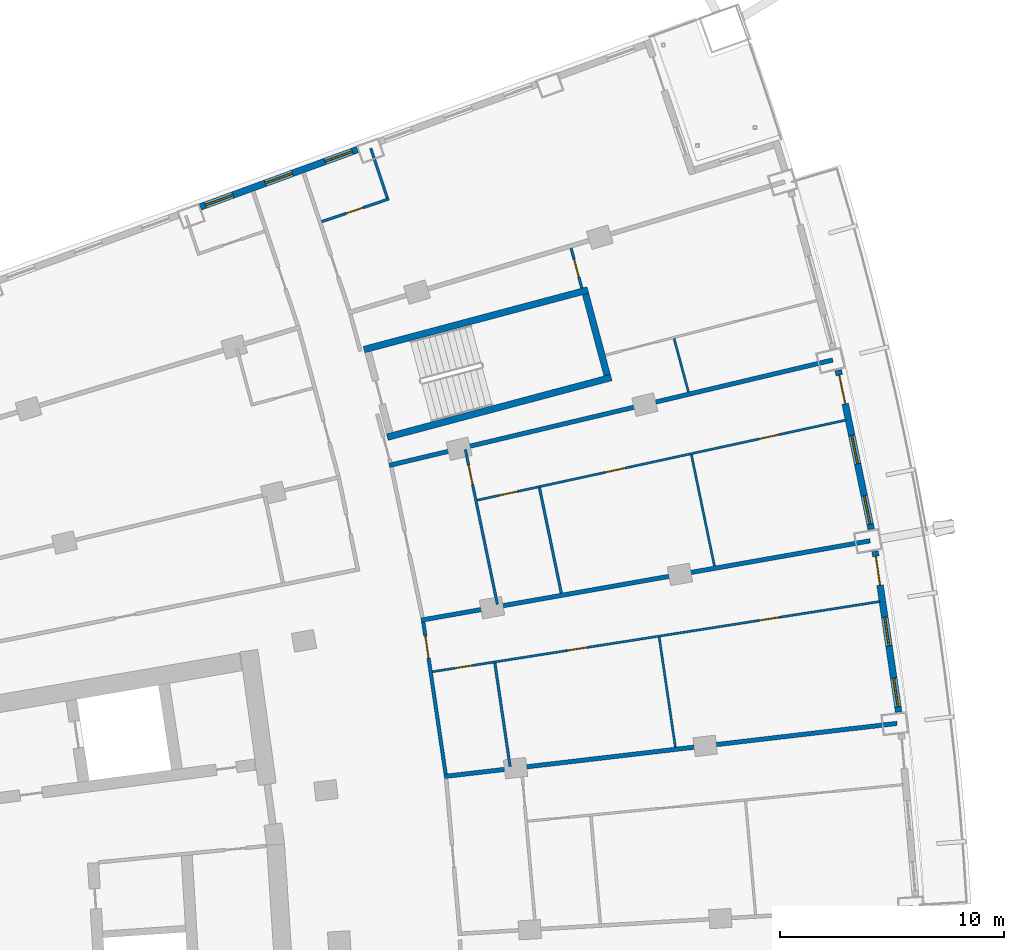
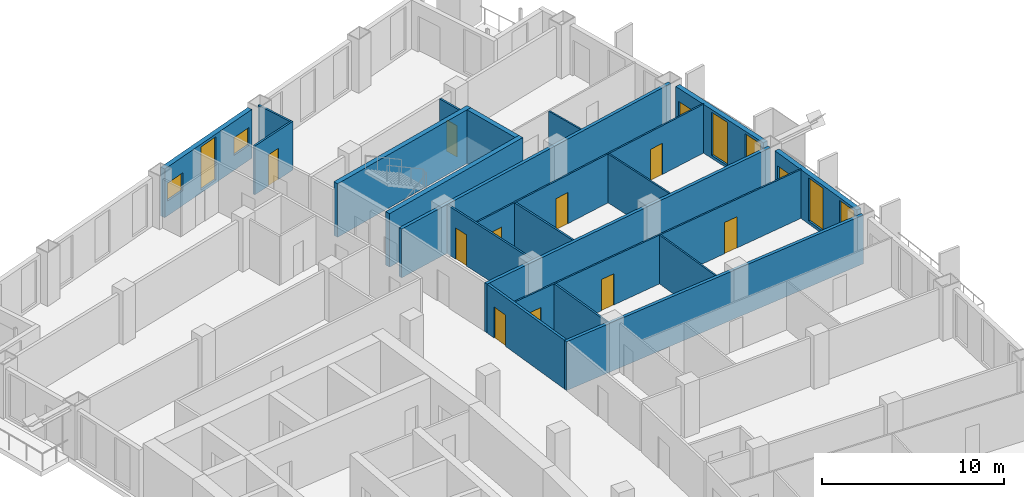
# One storey, part 17 of 23: 21 walls, 12 doors, 7 windows, 19 openings.
"""IFC4 building model written with IfcOpenShell, lengths in metres."""

import ifcopenshell
import ifcopenshell.guid

model = None  # the IFC model being written
_history = None  # IfcOwnerHistory: only IFC2X3 demands one
_inside = {}  # id of a spatial element -> (the spatial element, [elements in it])
_under = {}  # id of a project, library or spatial element -> (it, [spatial elements below it])
_declared = {}  # id of a project -> (the project, [libraries it declares])
_typed = {}  # id of a type object -> (the type object, [elements of that type])
_made_of = {}  # id of a material, layer set ... -> (it, [elements and type objects made of it])


def new_model(schema):
    """Start an empty IFC model of exactly this schema.

    Asked for "IFC4X3", IfcOpenShell would pick the latest addendum, in which some entities
    have other attributes; the version numbers below select the first issue.
    IFC2X3 requires an IfcOwnerHistory on every rooted entity: one is made here for all.
    """
    global model, _history
    if schema == "IFC4X3":
        model = ifcopenshell.file(schema_version=(4, 3, 0, 0))
    else:
        model = ifcopenshell.file(schema=schema)
    _inside.clear()
    _under.clear()
    _declared.clear()
    _typed.clear()
    _made_of.clear()
    _history = None
    if model.schema == "IFC2X3":
        org = make("IfcOrganization", Name="unknown")
        user = make(
            "IfcPersonAndOrganization",
            ThePerson=make("IfcPerson", FamilyName="unknown"),
            TheOrganization=org,
        )
        app = make(
            "IfcApplication",
            ApplicationDeveloper=org,
            Version="unknown",
            ApplicationFullName="unknown",
            ApplicationIdentifier="unknown",
        )
        _history = make(
            "IfcOwnerHistory",
            OwningUser=user,
            OwningApplication=app,
            ChangeAction="ADDED",
            CreationDate=0,
        )
    return model


def make(cls, **values):
    """One entity of the class cls with the attributes given. An attribute that is None is left unset."""
    return model.create_entity(
        cls, **{name: value for name, value in values.items() if value is not None}
    )


def rooted(cls, **values):
    """An entity with a GlobalId (a new one), such as an element, a storey or a relation."""
    return make(cls, GlobalId=ifcopenshell.guid.new(), OwnerHistory=_history, **values)


def si_unit(unit_type, name, prefix=None):
    """IfcSIUnit, for example si_unit("LENGTHUNIT", "METRE", prefix="MILLI")."""
    return make("IfcSIUnit", UnitType=unit_type, Prefix=prefix, Name=name)


def assignment(units):
    """IfcUnitAssignment: the units of a project."""
    return None if units is None else make("IfcUnitAssignment", Units=units)


def point(xyz):
    """IfcCartesianPoint."""
    return None if xyz is None else make("IfcCartesianPoint", Coordinates=xyz)


def direction(xyz):
    """IfcDirection."""
    return None if xyz is None else make("IfcDirection", DirectionRatios=xyz)


def frame(location, z_axis=None, x_axis=None):
    """IfcAxis2Placement3D, a coordinate frame: its origin and axes. An axis left out is left unset."""
    return make(
        "IfcAxis2Placement3D",
        Location=point(location),
        Axis=direction(z_axis),
        RefDirection=direction(x_axis),
    )


def frame_2d(location, x_axis=None):
    """IfcAxis2Placement2D, a coordinate frame in the plane: its origin and x axis."""
    return make(
        "IfcAxis2Placement2D", Location=point(location), RefDirection=direction(x_axis)
    )


def origin():
    """The frame at (0, 0, 0) with its axes left unset."""
    return frame((0.0, 0.0, 0.0))


def place(relative_to, where):
    """IfcLocalPlacement: puts the frame where relative to a parent placement (None: the world)."""
    return make(
        "IfcLocalPlacement", PlacementRelTo=relative_to, RelativePlacement=where
    )


def context(
    kind, dimensions, precision=None, world=None, true_north=None, identifier=None
):
    """IfcGeometricRepresentationContext, for example the 3D "Model" context."""
    return make(
        "IfcGeometricRepresentationContext",
        ContextIdentifier=identifier,
        ContextType=kind,
        CoordinateSpaceDimension=dimensions,
        Precision=precision,
        WorldCoordinateSystem=world,
        TrueNorth=true_north,
    )


def subcontext(parent, identifier, kind, view, scale=None):
    """IfcGeometricRepresentationSubContext, for example "Body" below "Model"."""
    return make(
        "IfcGeometricRepresentationSubContext",
        ContextIdentifier=identifier,
        ContextType=kind,
        ParentContext=parent,
        TargetScale=scale,
        TargetView=view,
    )


def project(units=None, contexts=None):
    """IfcProject with its units and contexts."""
    return rooted(
        "IfcProject",
        Name="project",
        RepresentationContexts=contexts,
        UnitsInContext=assignment(units),
    )


def spatial(cls, under=None, at=None, **own):
    """A site, building, storey or space (cls), placed at a placement, below another one or the project."""
    s = rooted(cls, ObjectPlacement=at, **own)
    if under is not None:
        _under.setdefault(under.id(), (under, []))[1].append(s)
    return s


def profile(cls, at=None, kind="AREA", **sizes):
    """A parametric profile (cls). Its sizes go by their IFC names, for example OverallWidth=200.0."""
    return make(cls, ProfileType=kind, Position=at, **sizes)


def rectangle(**sizes):
    """IfcRectangleProfileDef."""
    return profile("IfcRectangleProfileDef", **sizes)


def extrude(swept, where, along, depth):
    """IfcExtrudedAreaSolid: the profile swept, set in the frame where, extruded along a direction by depth."""
    return make(
        "IfcExtrudedAreaSolid",
        SweptArea=swept,
        Position=where,
        ExtrudedDirection=direction(along),
        Depth=depth,
    )


def shape(context_of_items, identifier, shape_type, items):
    """IfcShapeRepresentation: the items that make up one representation, for example the "Body"."""
    return make(
        "IfcShapeRepresentation",
        ContextOfItems=context_of_items,
        RepresentationIdentifier=identifier,
        RepresentationType=shape_type,
        Items=items,
    )


def material(Name=None, Category=None):
    """IfcMaterial."""
    return make("IfcMaterial", Name=Name, Category=Category)


def layer(
    of_material, thickness, ventilated=None, Name=None, Category=None, Priority=None
):
    """IfcMaterialLayer: one layer of a wall or slab, of a material (None: an air gap)."""
    return make(
        "IfcMaterialLayer",
        Material=of_material,
        LayerThickness=thickness,
        IsVentilated=ventilated,
        Name=Name,
        Category=Category,
        Priority=Priority,
    )


def layer_set(layers, Name=None):
    """IfcMaterialLayerSet."""
    return make("IfcMaterialLayerSet", MaterialLayers=layers, LayerSetName=Name)


def made_of(thing, what):
    """Note that an element or type object is made of a material, layer set ...; save() writes the relation."""
    if what is not None:
        _made_of.setdefault(what.id(), (what, []))[1].append(thing)
    return thing


def type_object(cls, material=None, **own):
    """A type object (cls), such as IfcWallType, which elements share."""
    return made_of(rooted(cls, **own), material)


def element(
    cls,
    number,
    at=None,
    inside=None,
    cuts=None,
    type_object=None,
    material=None,
    context=None,
    identifier="Body",
    shape_type=None,
    held_by="IfcProductDefinitionShape",
    body=None,
    shapes=None,
    **own,
):
    """One element of the class cls, such as IfcWall. Its Tag is "e" and its number.

    at: its placement. inside: the storey or other place that contains it. cuts: it is an
    opening in that element (IfcRelVoidsElement). A single representation is given by context,
    identifier, shape_type and body (its items); several are given by shapes. held_by: the class
    of the entity that holds the representations. save() writes the other relations.
    """
    e = rooted(cls, Tag="e%d" % number, ObjectPlacement=at, **own)
    if body is not None:
        shapes = [shape(context, identifier, shape_type, body)]
    if shapes is not None:
        e.Representation = make(held_by, Representations=shapes)
    if inside is not None:
        _inside.setdefault(inside.id(), (inside, []))[1].append(e)
    if cuts is not None:
        rooted(
            "IfcRelVoidsElement", RelatingBuildingElement=cuts, RelatedOpeningElement=e
        )
    if type_object is not None:
        _typed.setdefault(type_object.id(), (type_object, []))[1].append(e)
    return made_of(e, material)


def fill(opening, filler):
    """IfcRelFillsElement: the door or window that sits in an opening."""
    return rooted(
        "IfcRelFillsElement",
        RelatingOpeningElement=opening,
        RelatedBuildingElement=filler,
    )


def aggregate(whole, parts):
    """IfcRelAggregates: a whole, such as a stair, and the parts it consists of."""
    return rooted("IfcRelAggregates", RelatingObject=whole, RelatedObjects=parts)


def save(model, path):
    """Write the relations noted so far, then the file.

    IfcRelAggregates (storeys below a building ...), IfcRelContainedInSpatialStructure (elements
    in a storey), IfcRelDefinesByType, IfcRelAssociatesMaterial and IfcRelDeclares: one each for
    every whole, place, type object, material and project.
    """
    for whole, parts in _under.values():
        aggregate(whole, parts)
    for where, things in _inside.values():
        rooted(
            "IfcRelContainedInSpatialStructure",
            RelatedElements=things,
            RelatingStructure=where,
        )
    for kind, things in _typed.values():
        rooted("IfcRelDefinesByType", RelatedObjects=things, RelatingType=kind)
    for what, things in _made_of.values():
        rooted("IfcRelAssociatesMaterial", RelatedObjects=things, RelatingMaterial=what)
    for by, libraries in _declared.values():
        rooted("IfcRelDeclares", RelatingContext=by, RelatedDefinitions=libraries)
    model.write(path)


model = new_model("IFC4")

# Units and contexts
model_context = context("Model", 3, precision=1e-05, world=origin(), true_north=direction((0.0, 1.0)))
body_context = subcontext(model_context, "Body", "Model", "MODEL_VIEW")
ifc_project = project(units=[si_unit("LENGTHUNIT", "METRE"), si_unit("AREAUNIT", "SQUARE_METRE"), si_unit("VOLUMEUNIT", "CUBIC_METRE"), si_unit("PLANEANGLEUNIT", "RADIAN"), si_unit("MASSUNIT", "GRAM", prefix="KILO")], contexts=[model_context])

# Site, building, storey
site_placement = place(None, origin())
site = spatial("IfcSite", under=ifc_project, at=site_placement, CompositionType="ELEMENT")
building_placement = place(site_placement, origin())
building = spatial("IfcBuilding", under=site, at=building_placement, Name="Alderwake Tower", CompositionType="ELEMENT")
storey_placement = place(building_placement, frame((0.0, 0.0, 100.39990234375)))
storey = spatial("IfcBuildingStorey", under=building, at=storey_placement, Name="L24", CompositionType="ELEMENT", Elevation=100.39990234375)

# Walls
ifc_material_1 = material(Name="Concrete C70/85", Category="concrete")
ifc_layer_1 = layer(ifc_material_1, 0.300048828125)
ifc_layer_set_1 = layer_set([ifc_layer_1], Name="Core wall stair enclosure 300 C70-85")
wall_type_1 = type_object("IfcWallType", Name="Core wall stair enclosure 300 C70-85", PredefinedType="SHEAR", material=ifc_layer_set_1)
for number, where, z_axis, x_axis, name in (
    (1, (36.71142578125, 94.182373046875, 0.0), (0.0, 0.0, 1.0), (0.966309214305, 0.257383958996, 0.0), "Core wall CW.082"),
    (2, (37.75390625, 90.268798828125, 0.0), (0.0, 0.0, 1.0), (0.966309214305, 0.257383958996, 0.0), "Core wall CW.084"),
):
    element("IfcWall", number, at=place(storey_placement, frame(where, z_axis=z_axis, x_axis=x_axis)), inside=storey, type_object=wall_type_1, Name=name, PredefinedType="SHEAR", context=body_context, shape_type="SweptSolid", body=[
        extrude(rectangle(XDim=10.360107421875, YDim=0.300048828125, at=frame_2d((5.18017578125, 0.0))), origin(), (0.0, 0.0, 1.0), 3.60009765625),
    ])
wall_1_placement = place(storey_placement, frame((47.581298828125, 93.041748046875, 0.0), z_axis=(0.0, 0.0, 1.0), x_axis=(-0.257366821694, 0.966313778796, 0.0)))
element("IfcWall", 3, at=wall_1_placement, inside=storey, type_object=wall_type_1, Name="Core wall CW.081", PredefinedType="SHEAR", context=body_context, shape_type="SweptSolid", body=[
    extrude(rectangle(XDim=3.749755859375, YDim=0.300048828125, at=frame_2d((1.875, 0.0))), origin(), (0.0, 0.0, 1.0), 3.60009765625),
])

# Wall, opening, door
ifc_material_2 = material(Name="Gypsum board on metal studs, rated")
ifc_layer_2 = layer(ifc_material_2, 0.159912109375)
ifc_layer_set_2 = layer_set([ifc_layer_2], Name="Corridor wall 160")
wall_type_2 = type_object("IfcWallType", Name="Corridor wall 160", PredefinedType="PARTITIONING", material=ifc_layer_set_2)
wall_2_placement = place(storey_placement, frame((39.362548828125, 82.001953125, 0.0), z_axis=(0.0, 0.0, 1.0), x_axis=(0.145565626222, -0.98934859805, 0.0)))
wall_2 = element("IfcWall", 4, at=wall_2_placement, inside=storey, type_object=wall_type_2, Name="WL/L24/W39", PredefinedType="PARTITIONING", context=body_context, shape_type="SweptSolid", body=[
    extrude(rectangle(XDim=6.8681640625, YDim=0.159912109375, at=frame_2d((3.43408203125, 0.0))), origin(), (0.0, 0.0, 1.0), 3.280029296875),
])
opening_1_placement = place(wall_2_placement, frame((0.627685546875, 0.0, 0.0)))
opening_1 = element("IfcOpeningElement", 5, at=opening_1_placement, cuts=wall_2, Name="Opening R06-U10.2", PredefinedType="OPENING", context=body_context, shape_type="SweptSolid", body=[
    extrude(rectangle(XDim=1.0, YDim=2.10009765625, at=frame_2d((0.5, 1.050048828125))), frame((0.0, 0.08984375, 0.0), z_axis=(0.0, -1.0, 0.0), x_axis=(1.0, 0.0, 0.0)), (0.0, 0.0, 1.0), 0.179931640625),
])
ifc_material_3 = material(Name="Solid timber leaf in steel frame", Category="steel")
door_type_1 = type_object("IfcDoorType", Name="Flat entrance door 1000 fire-rated", OperationType="SINGLE_SWING_LEFT", PredefinedType="DOOR", material=ifc_material_3)
door_1_placement = place(opening_1_placement, origin())
door_1 = element("IfcDoor", 6, at=door_1_placement, inside=storey, type_object=door_type_1, Name="DR/L24/U10.2", OperationType="SINGLE_SWING_LEFT", OverallHeight=2.10009765625, OverallWidth=1.0, PredefinedType="DOOR", context=body_context, shape_type="SweptSolid", body=[
    extrude(rectangle(XDim=1.0, YDim=2.10009765625, at=frame_2d((0.5, 1.050048828125))), frame((0.0, 0.02490234375, 0.0), z_axis=(0.0, -1.0, 0.0), x_axis=(1.0, 0.0, 0.0)), (0.0, 0.0, 1.0), 0.050048828125),
])
fill(opening_1, door_1)

# Wall, openings, door, windows
ifc_material_4 = material(Name="Precast concrete C50/60 spandrel panel", Category="concrete")
ifc_layer_3 = layer(ifc_material_4, 0.300048828125)
ifc_layer_set_3 = layer_set([ifc_layer_3], Name="External wall EW1 Precast concrete C50/60 spandrel")
wall_type_3 = type_object("IfcWallType", Name="External wall EW1 Precast concrete C50/60 spandrel", PredefinedType="SOLIDWALL", material=ifc_layer_set_3)
wall_3_placement = place(storey_placement, frame((60.614501953125, 77.98193359375, 0.0), z_axis=(0.0, 0.0, 1.0), x_axis=(-0.145325629986, 0.989383879629, 0.0)))
wall_3 = element("IfcWall", 7, at=wall_3_placement, inside=storey, type_object=wall_type_3, Name="External wall 19", PredefinedType="SOLIDWALL", context=body_context, shape_type="SweptSolid", body=[
    extrude(rectangle(XDim=7.26416015625, YDim=0.300048828125, at=frame_2d((3.632080078125, 0.0))), origin(), (0.0, 0.0, 1.0), 3.280029296875),
])
opening_2_placement = place(wall_3_placement, frame((0.23291015625, 0.0, 0.199951171875)))
opening_2 = element("IfcOpeningElement", 8, at=opening_2_placement, cuts=wall_3, Name="Opening W1", PredefinedType="OPENING", context=body_context, shape_type="SweptSolid", body=[
    extrude(rectangle(XDim=1.300048828125, YDim=2.89990234375, at=frame_2d((0.64990234375, 1.449951171875))), frame((0.0, 0.159912109375, 0.0), z_axis=(0.0, -1.0, 0.0), x_axis=(1.0, 0.0, 0.0)), (0.0, 0.0, 1.0), 0.320068359375),
])
opening_3_placement = place(wall_3_placement, frame((2.98193359375, 0.0, 0.199951171875)))
opening_3 = element("IfcOpeningElement", 9, at=opening_3_placement, cuts=wall_3, Name="Opening W1", PredefinedType="OPENING", context=body_context, shape_type="SweptSolid", body=[
    extrude(rectangle(XDim=1.300048828125, YDim=2.89990234375, at=frame_2d((0.64990234375, 1.449951171875))), frame((0.0, 0.159912109375, 0.0), z_axis=(0.0, -1.0, 0.0), x_axis=(1.0, 0.0, 0.0)), (0.0, 0.0, 1.0), 0.320068359375),
])
opening_4_placement = place(wall_3_placement, frame((5.731201171875, 0.0, 0.0)))
opening_4 = element("IfcOpeningElement", 10, at=opening_4_placement, cuts=wall_3, Name="Opening D09", PredefinedType="OPENING", context=body_context, shape_type="SweptSolid", body=[
    extrude(rectangle(XDim=1.300048828125, YDim=2.39990234375, at=frame_2d((0.64990234375, 1.199951171875))), frame((0.0, 0.159912109375, 0.0), z_axis=(0.0, -1.0, 0.0), x_axis=(1.0, 0.0, 0.0)), (0.0, 0.0, 1.0), 0.320068359375),
])
ifc_material_5 = material(Name="Bronze tinted glass in aluminium frame", Category="aluminium")
door_type_2 = type_object("IfcDoorType", Name="Balcony door BD sliding", OperationType="SLIDING_TO_LEFT", PredefinedType="DOOR", material=ifc_material_5)
door_2_placement = place(opening_4_placement, origin())
door_2 = element("IfcDoor", 11, at=door_2_placement, inside=storey, type_object=door_type_2, Name="Door D09", OperationType="SLIDING_TO_LEFT", OverallHeight=2.39990234375, OverallWidth=1.300048828125, PredefinedType="DOOR", context=body_context, shape_type="SweptSolid", body=[
    extrude(rectangle(XDim=1.300048828125, YDim=2.39990234375, at=frame_2d((0.64990234375, 1.199951171875))), frame((0.0, 0.02490234375, 0.0), z_axis=(0.0, -1.0, 0.0), x_axis=(1.0, 0.0, 0.0)), (0.0, 0.0, 1.0), 0.050048828125),
])
fill(opening_4, door_2)
ifc_material_6 = material(Name="Bronze tinted glass in aluminium frame", Category="aluminium")
window_type_1 = type_object("IfcWindowType", Name="Window W1 tall fixed and vent", PartitioningType="DOUBLE_PANEL_VERTICAL", PredefinedType="WINDOW", material=ifc_material_6)
window_1_placement = place(opening_2_placement, origin())
window_1 = element("IfcWindow", 12, at=window_1_placement, inside=storey, type_object=window_type_1, Name="Window W1 tall fixed and vent", OverallHeight=2.89990234375, OverallWidth=1.300048828125, PartitioningType="DOUBLE_PANEL_VERTICAL", PredefinedType="WINDOW", context=body_context, shape_type="SweptSolid", body=[
    extrude(rectangle(XDim=1.300048828125, YDim=2.89990234375, at=frame_2d((0.64990234375, 1.449951171875))), frame((0.0, 0.030029296875, 0.0), z_axis=(0.0, -1.0, 0.0), x_axis=(1.0, 0.0, 0.0)), (0.0, 0.0, 1.0), 0.06005859375),
])
fill(opening_2, window_1)
window_2_placement = place(opening_3_placement, origin())
window_2 = element("IfcWindow", 13, at=window_2_placement, inside=storey, type_object=window_type_1, Name="Window W1 tall fixed and vent", OverallHeight=2.89990234375, OverallWidth=1.300048828125, PartitioningType="DOUBLE_PANEL_VERTICAL", PredefinedType="WINDOW", context=body_context, shape_type="SweptSolid", body=[
    extrude(rectangle(XDim=1.300048828125, YDim=2.89990234375, at=frame_2d((0.64990234375, 1.449951171875))), frame((0.0, 0.030029296875, 0.0), z_axis=(0.0, -1.0, 0.0), x_axis=(1.0, 0.0, 0.0)), (0.0, 0.0, 1.0), 0.06005859375),
])
fill(opening_3, window_2)

wall_4_placement = place(storey_placement, frame((59.38525390625, 86.15087890625, 0.0), z_axis=(0.0, 0.0, 1.0), x_axis=(-0.20273007486, 0.979234658673, 0.0)))
wall_4 = element("IfcWall", 14, at=wall_4_placement, inside=storey, type_object=wall_type_3, Name="External wall 20", PredefinedType="SOLIDWALL", context=body_context, shape_type="SweptSolid", body=[
    extrude(rectangle(XDim=7.26416015625, YDim=0.300048828125, at=frame_2d((3.632080078125, 0.0))), origin(), (0.0, 0.0, 1.0), 3.280029296875),
])
opening_5_placement = place(wall_4_placement, frame((0.23291015625, 0.0, 0.199951171875)))
opening_5 = element("IfcOpeningElement", 15, at=opening_5_placement, cuts=wall_4, Name="Opening W1", PredefinedType="OPENING", context=body_context, shape_type="SweptSolid", body=[
    extrude(rectangle(XDim=1.300048828125, YDim=2.89990234375, at=frame_2d((0.64990234375, 1.449951171875))), frame((0.0, 0.159912109375, 0.0), z_axis=(0.0, -1.0, 0.0), x_axis=(1.0, 0.0, 0.0)), (0.0, 0.0, 1.0), 0.320068359375),
])
opening_6_placement = place(wall_4_placement, frame((2.98193359375, 0.0, 0.199951171875)))
opening_6 = element("IfcOpeningElement", 16, at=opening_6_placement, cuts=wall_4, Name="Opening W1", PredefinedType="OPENING", context=body_context, shape_type="SweptSolid", body=[
    extrude(rectangle(XDim=1.300048828125, YDim=2.89990234375, at=frame_2d((0.64990234375, 1.449951171875))), frame((0.0, 0.159912109375, 0.0), z_axis=(0.0, -1.0, 0.0), x_axis=(1.0, 0.0, 0.0)), (0.0, 0.0, 1.0), 0.320068359375),
])
opening_7_placement = place(wall_4_placement, frame((5.731201171875, 0.0, 0.0)))
opening_7 = element("IfcOpeningElement", 17, at=opening_7_placement, cuts=wall_4, Name="Opening D10", PredefinedType="OPENING", context=body_context, shape_type="SweptSolid", body=[
    extrude(rectangle(XDim=1.300048828125, YDim=2.39990234375, at=frame_2d((0.64990234375, 1.199951171875))), frame((0.0, 0.159912109375, 0.0), z_axis=(0.0, -1.0, 0.0), x_axis=(1.0, 0.0, 0.0)), (0.0, 0.0, 1.0), 0.320068359375),
])
door_3_placement = place(opening_7_placement, origin())
door_3 = element("IfcDoor", 18, at=door_3_placement, inside=storey, type_object=door_type_2, Name="Door D10", OperationType="SLIDING_TO_LEFT", OverallHeight=2.39990234375, OverallWidth=1.300048828125, PredefinedType="DOOR", context=body_context, shape_type="SweptSolid", body=[
    extrude(rectangle(XDim=1.300048828125, YDim=2.39990234375, at=frame_2d((0.64990234375, 1.199951171875))), frame((0.0, 0.02490234375, 0.0), z_axis=(0.0, -1.0, 0.0), x_axis=(1.0, 0.0, 0.0)), (0.0, 0.0, 1.0), 0.050048828125),
])
fill(opening_7, door_3)
window_3_placement = place(opening_5_placement, origin())
window_3 = element("IfcWindow", 19, at=window_3_placement, inside=storey, type_object=window_type_1, Name="Window W1 tall fixed and vent", OverallHeight=2.89990234375, OverallWidth=1.300048828125, PartitioningType="DOUBLE_PANEL_VERTICAL", PredefinedType="WINDOW", context=body_context, shape_type="SweptSolid", body=[
    extrude(rectangle(XDim=1.300048828125, YDim=2.89990234375, at=frame_2d((0.64990234375, 1.449951171875))), frame((0.0, 0.030029296875, 0.0), z_axis=(0.0, -1.0, 0.0), x_axis=(1.0, 0.0, 0.0)), (0.0, 0.0, 1.0), 0.06005859375),
])
fill(opening_5, window_3)
window_4_placement = place(opening_6_placement, origin())
window_4 = element("IfcWindow", 20, at=window_4_placement, inside=storey, type_object=window_type_1, Name="Window W1 tall fixed and vent", OverallHeight=2.89990234375, OverallWidth=1.300048828125, PartitioningType="DOUBLE_PANEL_VERTICAL", PredefinedType="WINDOW", context=body_context, shape_type="SweptSolid", body=[
    extrude(rectangle(XDim=1.300048828125, YDim=2.89990234375, at=frame_2d((0.64990234375, 1.449951171875))), frame((0.0, 0.030029296875, 0.0), z_axis=(0.0, -1.0, 0.0), x_axis=(1.0, 0.0, 0.0)), (0.0, 0.0, 1.0), 0.06005859375),
])
fill(opening_6, window_4)

# Wall, openings, windows
ifc_material_7 = material(Name="Bronze metal cladding on lightweight framing")
ifc_layer_4 = layer(ifc_material_7, 0.300048828125)
ifc_layer_set_4 = layer_set([ifc_layer_4], Name="External wall EW2 bronze metal cladding")
wall_type_4 = type_object("IfcWallType", Name="External wall EW2 bronze metal cladding", PredefinedType="SOLIDWALL", material=ifc_layer_set_4)
wall_5_placement = place(storey_placement, frame((36.4189453125, 103.123779296875, 0.0), z_axis=(0.0, 0.0, 1.0), x_axis=(-0.939370505087, -0.342903855582, 0.0)))
wall_5 = element("IfcWall", 21, at=wall_5_placement, inside=storey, type_object=wall_type_4, Name="External wall 27", PredefinedType="SOLIDWALL", context=body_context, shape_type="SweptSolid", body=[
    extrude(rectangle(XDim=7.479248046875, YDim=0.300048828125, at=frame_2d((3.73974609375, 0.0))), origin(), (0.0, 0.0, 1.0), 3.280029296875),
])
opening_8_placement = place(wall_5_placement, frame((0.2451171875, 0.0, 1.0)))
opening_8 = element("IfcOpeningElement", 22, at=opening_8_placement, cuts=wall_5, Name="Opening W2", PredefinedType="OPENING", context=body_context, shape_type="SweptSolid", body=[
    extrude(rectangle(XDim=1.300048828125, YDim=1.199951171875, at=frame_2d((0.64990234375, 0.60009765625))), frame((0.0, 0.159912109375, 0.0), z_axis=(0.0, -1.0, 0.0), x_axis=(1.0, 0.0, 0.0)), (0.0, 0.0, 1.0), 0.320068359375),
])
opening_9_placement = place(wall_5_placement, frame((3.089599609375, 0.0, 0.199951171875)))
opening_9 = element("IfcOpeningElement", 23, at=opening_9_placement, cuts=wall_5, Name="Opening W1", PredefinedType="OPENING", context=body_context, shape_type="SweptSolid", body=[
    extrude(rectangle(XDim=1.300048828125, YDim=2.89990234375, at=frame_2d((0.64990234375, 1.449951171875))), frame((0.0, 0.159912109375, 0.0), z_axis=(0.0, -1.0, 0.0), x_axis=(1.0, 0.0, 0.0)), (0.0, 0.0, 1.0), 0.320068359375),
])
opening_10_placement = place(wall_5_placement, frame((5.93408203125, 0.0, 1.0)))
opening_10 = element("IfcOpeningElement", 24, at=opening_10_placement, cuts=wall_5, Name="Opening W2", PredefinedType="OPENING", context=body_context, shape_type="SweptSolid", body=[
    extrude(rectangle(XDim=1.300048828125, YDim=1.199951171875, at=frame_2d((0.64990234375, 0.60009765625))), frame((0.0, 0.159912109375, 0.0), z_axis=(0.0, -1.0, 0.0), x_axis=(1.0, 0.0, 0.0)), (0.0, 0.0, 1.0), 0.320068359375),
])
window_5_placement = place(opening_9_placement, origin())
window_5 = element("IfcWindow", 25, at=window_5_placement, inside=storey, type_object=window_type_1, Name="Window W1 tall fixed and vent", OverallHeight=2.89990234375, OverallWidth=1.300048828125, PartitioningType="DOUBLE_PANEL_VERTICAL", PredefinedType="WINDOW", context=body_context, shape_type="SweptSolid", body=[
    extrude(rectangle(XDim=1.300048828125, YDim=2.89990234375, at=frame_2d((0.64990234375, 1.449951171875))), frame((0.0, 0.030029296875, 0.0), z_axis=(0.0, -1.0, 0.0), x_axis=(1.0, 0.0, 0.0)), (0.0, 0.0, 1.0), 0.06005859375),
])
fill(opening_9, window_5)
ifc_material_8 = material(Name="Bronze tinted glass in aluminium frame", Category="aluminium")
window_type_2 = type_object("IfcWindowType", Name="Window W2 kitchen and bath", PartitioningType="SINGLE_PANEL", PredefinedType="WINDOW", material=ifc_material_8)
window_6_placement = place(opening_8_placement, origin())
window_6 = element("IfcWindow", 26, at=window_6_placement, inside=storey, type_object=window_type_2, Name="Window W2 kitchen and bath", OverallHeight=1.199951171875, OverallWidth=1.300048828125, PartitioningType="SINGLE_PANEL", PredefinedType="WINDOW", context=body_context, shape_type="SweptSolid", body=[
    extrude(rectangle(XDim=1.300048828125, YDim=1.199951171875, at=frame_2d((0.64990234375, 0.60009765625))), frame((0.0, 0.030029296875, 0.0), z_axis=(0.0, -1.0, 0.0), x_axis=(1.0, 0.0, 0.0)), (0.0, 0.0, 1.0), 0.06005859375),
])
fill(opening_8, window_6)
window_7_placement = place(opening_10_placement, origin())
window_7 = element("IfcWindow", 27, at=window_7_placement, inside=storey, type_object=window_type_2, Name="Window W2 kitchen and bath", OverallHeight=1.199951171875, OverallWidth=1.300048828125, PartitioningType="SINGLE_PANEL", PredefinedType="WINDOW", context=body_context, shape_type="SweptSolid", body=[
    extrude(rectangle(XDim=1.300048828125, YDim=1.199951171875, at=frame_2d((0.64990234375, 0.60009765625))), frame((0.0, 0.030029296875, 0.0), z_axis=(0.0, -1.0, 0.0), x_axis=(1.0, 0.0, 0.0)), (0.0, 0.0, 1.0), 0.06005859375),
])
fill(opening_10, window_7)

# Walls
ifc_material_9 = material(Name="Dense block masonry wall", Category="masonry")
ifc_layer_5 = layer(ifc_material_9, 0.199951171875)
ifc_layer_set_5 = layer_set([ifc_layer_5], Name="Party wall 200")
wall_type_5 = type_object("IfcWallType", Name="Party wall 200", PredefinedType="SOLIDWALL", material=ifc_layer_set_5)
wall_6_placement = place(storey_placement, frame((37.839111328125, 89.006591796875, 0.0), z_axis=(0.0, 0.0, 1.0), x_axis=(0.972919344177, 0.231144867402, 0.0)))
element("IfcWall", 28, at=wall_6_placement, inside=storey, type_object=wall_type_5, Name="WL/L24/W07", PredefinedType="SOLIDWALL", context=body_context, shape_type="SweptSolid", body=[
    extrude(rectangle(XDim=20.378662109375, YDim=0.199951171875, at=frame_2d((10.189453125, 0.0))), origin(), (0.0, 0.0, 1.0), 3.280029296875),
])
wall_7_placement = place(storey_placement, frame((39.269287109375, 82.087158203125, 0.0), z_axis=(0.0, 0.0, 1.0), x_axis=(0.984733595327, 0.174068222933, 0.0)))
element("IfcWall", 29, at=wall_7_placement, inside=storey, type_object=wall_type_5, Name="WL/L24/W08", PredefinedType="SOLIDWALL", context=body_context, shape_type="SweptSolid", body=[
    extrude(rectangle(XDim=20.382080078125, YDim=0.199951171875, at=frame_2d((10.19091796875, 0.0))), origin(), (0.0, 0.0, 1.0), 3.280029296875),
])
wall_8_placement = place(storey_placement, frame((60.537109375, 77.471923828125, 0.0), z_axis=(0.0, 0.0, 1.0), x_axis=(-0.99319510115, -0.11646240188, 0.0)))
element("IfcWall", 30, at=wall_8_placement, inside=storey, type_object=wall_type_5, Name="WL/L24/W12", PredefinedType="SOLIDWALL", context=body_context, shape_type="SweptSolid", body=[
    extrude(rectangle(XDim=20.378173828125, YDim=0.199951171875, at=frame_2d((10.18896484375, 0.0))), origin(), (0.0, 0.0, 1.0), 3.280029296875),
])

# Wall, openings, doors
ifc_material_10 = material(Name="Gypsum board on metal studs")
ifc_layer_6 = layer(ifc_material_10, 0.10009765625)
ifc_layer_set_6 = layer_set([ifc_layer_6], Name="Unit partition 100")
wall_type_6 = type_object("IfcWallType", Name="Unit partition 100", PredefinedType="PARTITIONING", material=ifc_layer_set_6)
wall_9_placement = place(storey_placement, frame((59.787109375, 82.923095703125, 0.0), z_axis=(0.0, 0.0, 1.0), x_axis=(-0.987915475179, -0.154993593101, 0.0)))
wall_9 = element("IfcWall", 31, at=wall_9_placement, inside=storey, type_object=wall_type_6, Name="WL/L24/W72", PredefinedType="PARTITIONING", context=body_context, shape_type="SweptSolid", body=[
    extrude(rectangle(XDim=20.262939453125, YDim=0.10009765625, at=frame_2d((10.13134765625, 0.0))), origin(), (0.0, 0.0, 1.0), 3.280029296875),
])
opening_11_placement = place(wall_9_placement, frame((13.2744140625, 0.0, 0.0)))
opening_11 = element("IfcOpeningElement", 32, at=opening_11_placement, cuts=wall_9, Name="Opening R06-U10.1", PredefinedType="OPENING", context=body_context, shape_type="SweptSolid", body=[
    extrude(rectangle(XDim=0.89990234375, YDim=2.10009765625, at=frame_2d((0.449951171875, 1.050048828125))), frame((0.0, 0.06005859375, 0.0), z_axis=(0.0, -1.0, 0.0), x_axis=(1.0, 0.0, 0.0)), (0.0, 0.0, 1.0), 0.1201171875),
])
opening_12_placement = place(wall_9_placement, frame((18.45263671875, 0.0, 0.0)))
opening_12 = element("IfcOpeningElement", 33, at=opening_12_placement, cuts=wall_9, Name="Opening R06-U10.3", PredefinedType="OPENING", context=body_context, shape_type="SweptSolid", body=[
    extrude(rectangle(XDim=0.800048828125, YDim=2.10009765625, at=frame_2d((0.39990234375, 1.050048828125))), frame((0.0, 0.06005859375, 0.0), z_axis=(0.0, -1.0, 0.0), x_axis=(1.0, 0.0, 0.0)), (0.0, 0.0, 1.0), 0.1201171875),
])
opening_13_placement = place(wall_9_placement, frame((4.552978515625, 0.0, 0.0)))
opening_13 = element("IfcOpeningElement", 34, at=opening_13_placement, cuts=wall_9, Name="Opening R06-U10.4", PredefinedType="OPENING", context=body_context, shape_type="SweptSolid", body=[
    extrude(rectangle(XDim=0.89990234375, YDim=2.10009765625, at=frame_2d((0.449951171875, 1.050048828125))), frame((0.0, 0.06005859375, 0.0), z_axis=(0.0, -1.0, 0.0), x_axis=(1.0, 0.0, 0.0)), (0.0, 0.0, 1.0), 0.1201171875),
])
ifc_material_11 = material(Name="Painted timber leaf", Category="wood")
door_type_3 = type_object("IfcDoorType", Name="Bathroom door 800", OperationType="SINGLE_SWING_LEFT", PredefinedType="DOOR", material=ifc_material_11)
door_4_placement = place(opening_12_placement, origin())
door_4 = element("IfcDoor", 35, at=door_4_placement, inside=storey, type_object=door_type_3, Name="DR/L24/U10.3", OperationType="SINGLE_SWING_LEFT", OverallHeight=2.10009765625, OverallWidth=0.800048828125, PredefinedType="DOOR", context=body_context, shape_type="SweptSolid", body=[
    extrude(rectangle(XDim=0.800048828125, YDim=2.10009765625, at=frame_2d((0.39990234375, 1.050048828125))), frame((0.0, 0.02490234375, 0.0), z_axis=(0.0, -1.0, 0.0), x_axis=(1.0, 0.0, 0.0)), (0.0, 0.0, 1.0), 0.050048828125),
])
fill(opening_12, door_4)
ifc_material_12 = material(Name="Painted timber leaf", Category="wood")
door_type_4 = type_object("IfcDoorType", Name="Room door 900", OperationType="SINGLE_SWING_LEFT", PredefinedType="DOOR", material=ifc_material_12)
door_5_placement = place(opening_11_placement, origin())
door_5 = element("IfcDoor", 36, at=door_5_placement, inside=storey, type_object=door_type_4, Name="DR/L24/U10.1", OperationType="SINGLE_SWING_LEFT", OverallHeight=2.10009765625, OverallWidth=0.89990234375, PredefinedType="DOOR", context=body_context, shape_type="SweptSolid", body=[
    extrude(rectangle(XDim=0.89990234375, YDim=2.10009765625, at=frame_2d((0.449951171875, 1.050048828125))), frame((0.0, 0.02490234375, 0.0), z_axis=(0.0, -1.0, 0.0), x_axis=(1.0, 0.0, 0.0)), (0.0, 0.0, 1.0), 0.050048828125),
])
fill(opening_11, door_5)
door_6_placement = place(opening_13_placement, origin())
door_6 = element("IfcDoor", 37, at=door_6_placement, inside=storey, type_object=door_type_4, Name="DR/L24/U10.4", OperationType="SINGLE_SWING_LEFT", OverallHeight=2.10009765625, OverallWidth=0.89990234375, PredefinedType="DOOR", context=body_context, shape_type="SweptSolid", body=[
    extrude(rectangle(XDim=0.89990234375, YDim=2.10009765625, at=frame_2d((0.449951171875, 1.050048828125))), frame((0.0, 0.02490234375, 0.0), z_axis=(0.0, -1.0, 0.0), x_axis=(1.0, 0.0, 0.0)), (0.0, 0.0, 1.0), 0.050048828125),
])
fill(opening_13, door_6)

wall_10_placement = place(storey_placement, frame((58.27197265625, 91.034912109375, 0.0), z_axis=(0.0, 0.0, 1.0), x_axis=(-0.977205328279, -0.212296364509, 0.0)))
wall_10 = element("IfcWall", 38, at=wall_10_placement, inside=storey, type_object=wall_type_6, Name="WL/L24/W75", PredefinedType="PARTITIONING", context=body_context, shape_type="SweptSolid", body=[
    extrude(rectangle(XDim=16.883056640625, YDim=0.10009765625, at=frame_2d((8.44140625, 0.0))), origin(), (0.0, 0.0, 1.0), 3.280029296875),
])
opening_14_placement = place(wall_10_placement, frame((10.119873046875, 0.0, 0.0)))
opening_14 = element("IfcOpeningElement", 39, at=opening_14_placement, cuts=wall_10, Name="Opening R06-U11.1", PredefinedType="OPENING", context=body_context, shape_type="SweptSolid", body=[
    extrude(rectangle(XDim=0.89990234375, YDim=2.10009765625, at=frame_2d((0.449951171875, 1.050048828125))), frame((0.0, 0.06005859375, 0.0), z_axis=(0.0, -1.0, 0.0), x_axis=(1.0, 0.0, 0.0)), (0.0, 0.0, 1.0), 0.1201171875),
])
opening_15_placement = place(wall_10_placement, frame((15.06396484375, 0.0, 0.0)))
opening_15 = element("IfcOpeningElement", 40, at=opening_15_placement, cuts=wall_10, Name="Opening R06-U11.4", PredefinedType="OPENING", context=body_context, shape_type="SweptSolid", body=[
    extrude(rectangle(XDim=0.800048828125, YDim=2.10009765625, at=frame_2d((0.39990234375, 1.050048828125))), frame((0.0, 0.06005859375, 0.0), z_axis=(0.0, -1.0, 0.0), x_axis=(1.0, 0.0, 0.0)), (0.0, 0.0, 1.0), 0.1201171875),
])
opening_16_placement = place(wall_10_placement, frame((3.097412109375, 0.0, 0.0)))
opening_16 = element("IfcOpeningElement", 41, at=opening_16_placement, cuts=wall_10, Name="Opening R06-U11.5", PredefinedType="OPENING", context=body_context, shape_type="SweptSolid", body=[
    extrude(rectangle(XDim=0.89990234375, YDim=2.10009765625, at=frame_2d((0.449951171875, 1.050048828125))), frame((0.0, 0.06005859375, 0.0), z_axis=(0.0, -1.0, 0.0), x_axis=(1.0, 0.0, 0.0)), (0.0, 0.0, 1.0), 0.1201171875),
])
door_7_placement = place(opening_15_placement, origin())
door_7 = element("IfcDoor", 42, at=door_7_placement, inside=storey, type_object=door_type_3, Name="DR/L24/U11.4", OperationType="SINGLE_SWING_LEFT", OverallHeight=2.10009765625, OverallWidth=0.800048828125, PredefinedType="DOOR", context=body_context, shape_type="SweptSolid", body=[
    extrude(rectangle(XDim=0.800048828125, YDim=2.10009765625, at=frame_2d((0.39990234375, 1.050048828125))), frame((0.0, 0.02490234375, 0.0), z_axis=(0.0, -1.0, 0.0), x_axis=(1.0, 0.0, 0.0)), (0.0, 0.0, 1.0), 0.050048828125),
])
fill(opening_15, door_7)
door_8_placement = place(opening_14_placement, origin())
door_8 = element("IfcDoor", 43, at=door_8_placement, inside=storey, type_object=door_type_4, Name="DR/L24/U11.1", OperationType="SINGLE_SWING_LEFT", OverallHeight=2.10009765625, OverallWidth=0.89990234375, PredefinedType="DOOR", context=body_context, shape_type="SweptSolid", body=[
    extrude(rectangle(XDim=0.89990234375, YDim=2.10009765625, at=frame_2d((0.449951171875, 1.050048828125))), frame((0.0, 0.02490234375, 0.0), z_axis=(0.0, -1.0, 0.0), x_axis=(1.0, 0.0, 0.0)), (0.0, 0.0, 1.0), 0.050048828125),
])
fill(opening_14, door_8)
door_9_placement = place(opening_16_placement, origin())
door_9 = element("IfcDoor", 44, at=door_9_placement, inside=storey, type_object=door_type_4, Name="DR/L24/U11.5", OperationType="SINGLE_SWING_LEFT", OverallHeight=2.10009765625, OverallWidth=0.89990234375, PredefinedType="DOOR", context=body_context, shape_type="SweptSolid", body=[
    extrude(rectangle(XDim=0.89990234375, YDim=2.10009765625, at=frame_2d((0.449951171875, 1.050048828125))), frame((0.0, 0.02490234375, 0.0), z_axis=(0.0, -1.0, 0.0), x_axis=(1.0, 0.0, 0.0)), (0.0, 0.0, 1.0), 0.050048828125),
])
fill(opening_16, door_9)

# Walls
wall_11_placement = place(storey_placement, frame((50.63134765625, 76.409912109375, 0.0), z_axis=(0.0, 0.0, 1.0), x_axis=(-0.145440200606, 0.989367044149, 0.0)))
element("IfcWall", 45, at=wall_11_placement, inside=storey, type_object=wall_type_6, Name="WL/L24/W82", PredefinedType="PARTITIONING", context=body_context, shape_type="SweptSolid", body=[
    extrude(rectangle(XDim=4.96533203125, YDim=0.10009765625, at=frame_2d((2.482666015625, 0.0))), origin(), (0.0, 0.0, 1.0), 3.280029296875),
])
wall_12_placement = place(storey_placement, frame((51.217041015625, 92.28662109375, 0.0), z_axis=(0.0, 0.0, 1.0), x_axis=(-0.259442778972, 0.965758481422, 0.0)))
element("IfcWall", 46, at=wall_12_placement, inside=storey, type_object=wall_type_6, Name="WL/L24/W85", PredefinedType="PARTITIONING", context=body_context, shape_type="SweptSolid", body=[
    extrude(rectangle(XDim=2.474853515625, YDim=0.10009765625, at=frame_2d((1.2373046875, 0.0))), origin(), (0.0, 0.0, 1.0), 3.280029296875),
])
wall_13_placement = place(storey_placement, frame((52.377685546875, 84.506103515625, 0.0), z_axis=(0.0, 0.0, 1.0), x_axis=(-0.202508645779, 0.979280474831, 0.0)))
element("IfcWall", 47, at=wall_13_placement, inside=storey, type_object=wall_type_6, Name="WL/L24/W88", PredefinedType="PARTITIONING", context=body_context, shape_type="SweptSolid", body=[
    extrude(rectangle(XDim=5.0791015625, YDim=0.10009765625, at=frame_2d((2.53955078125, 0.0))), origin(), (0.0, 0.0, 1.0), 3.280029296875),
])

# Wall, opening, door
ifc_material_13 = material(Name="Moisture resistant gypsum board on metal studs")
ifc_layer_7 = layer(ifc_material_13, 0.1201171875)
ifc_layer_set_7 = layer_set([ifc_layer_7], Name="Wet room partition 120")
wall_type_7 = type_object("IfcWallType", Name="Wet room partition 120", PredefinedType="PARTITIONING", material=ifc_layer_set_7)
wall_14_placement = place(storey_placement, frame((34.81884765625, 99.901611328125, 0.0), z_axis=(0.0, 0.0, 1.0), x_axis=(0.947175058373, 0.320717022928, 0.0)))
wall_14 = element("IfcWall", 48, at=wall_14_placement, inside=storey, type_object=wall_type_7, Name="WL/L24/W53", PredefinedType="PARTITIONING", context=body_context, shape_type="SweptSolid", body=[
    extrude(rectangle(XDim=3.178955078125, YDim=0.1201171875, at=frame_2d((1.58935546875, 0.0))), origin(), (0.0, 0.0, 1.0), 3.280029296875),
])
opening_17_placement = place(wall_14_placement, frame((1.15966796875, 0.0, 0.0)))
opening_17 = element("IfcOpeningElement", 49, at=opening_17_placement, cuts=wall_14, Name="Opening R06-U04.2", PredefinedType="OPENING", context=body_context, shape_type="SweptSolid", body=[
    extrude(rectangle(XDim=0.800048828125, YDim=2.10009765625, at=frame_2d((0.39990234375, 1.050048828125))), frame((0.0, 0.070068359375, 0.0), z_axis=(0.0, -1.0, 0.0), x_axis=(1.0, 0.0, 0.0)), (0.0, 0.0, 1.0), 0.14013671875),
])
door_10_placement = place(opening_17_placement, origin())
door_10 = element("IfcDoor", 50, at=door_10_placement, inside=storey, type_object=door_type_3, Name="DR/L24/U04.2", OperationType="SINGLE_SWING_LEFT", OverallHeight=2.10009765625, OverallWidth=0.800048828125, PredefinedType="DOOR", context=body_context, shape_type="SweptSolid", body=[
    extrude(rectangle(XDim=0.800048828125, YDim=2.10009765625, at=frame_2d((0.39990234375, 1.050048828125))), frame((0.0, 0.02490234375, 0.0), z_axis=(0.0, -1.0, 0.0), x_axis=(1.0, 0.0, 0.0)), (0.0, 0.0, 1.0), 0.050048828125),
])
fill(opening_17, door_10)

# Wall
wall_15_placement = place(storey_placement, frame((37.754150390625, 100.958984375, 0.0), z_axis=(0.0, 0.0, 1.0), x_axis=(-0.314726191852, 0.949182503085, 0.0)))
element("IfcWall", 51, at=wall_15_placement, inside=storey, type_object=wall_type_7, Name="WL/L24/W56", PredefinedType="PARTITIONING", context=body_context, shape_type="SweptSolid", body=[
    extrude(rectangle(XDim=2.341796875, YDim=0.1201171875, at=frame_2d((1.1708984375, 0.0))), origin(), (0.0, 0.0, 1.0), 3.280029296875),
])

# Wall, opening, door
wall_16_placement = place(storey_placement, frame((41.243408203125, 89.712890625, 0.0), z_axis=(0.0, 0.0, 1.0), x_axis=(0.202695854643, -0.979241742631, 0.0)))
wall_16 = element("IfcWall", 52, at=wall_16_placement, inside=storey, type_object=wall_type_7, Name="WL/L24/W58", PredefinedType="PARTITIONING", context=body_context, shape_type="SweptSolid", body=[
    extrude(rectangle(XDim=7.066650390625, YDim=0.1201171875, at=frame_2d((3.533203125, 0.0))), origin(), (0.0, 0.0, 1.0), 3.280029296875),
])
opening_18_placement = place(wall_16_placement, frame((0.711669921875, 0.0, 0.0)))
opening_18 = element("IfcOpeningElement", 53, at=opening_18_placement, cuts=wall_16, Name="Opening R06-U11.3", PredefinedType="OPENING", context=body_context, shape_type="SweptSolid", body=[
    extrude(rectangle(XDim=0.89990234375, YDim=2.10009765625, at=frame_2d((0.449951171875, 1.050048828125))), frame((0.0, 0.070068359375, 0.0), z_axis=(0.0, -1.0, 0.0), x_axis=(1.0, 0.0, 0.0)), (0.0, 0.0, 1.0), 0.14013671875),
])
door_11_placement = place(opening_18_placement, origin())
door_11 = element("IfcDoor", 54, at=door_11_placement, inside=storey, type_object=door_type_4, Name="DR/L24/U11.3", OperationType="SINGLE_SWING_LEFT", OverallHeight=2.10009765625, OverallWidth=0.89990234375, PredefinedType="DOOR", context=body_context, shape_type="SweptSolid", body=[
    extrude(rectangle(XDim=0.89990234375, YDim=2.10009765625, at=frame_2d((0.449951171875, 1.050048828125))), frame((0.0, 0.02490234375, 0.0), z_axis=(0.0, -1.0, 0.0), x_axis=(1.0, 0.0, 0.0)), (0.0, 0.0, 1.0), 0.050048828125),
])
fill(opening_18, door_11)

# Walls
wall_17_placement = place(storey_placement, frame((43.242431640625, 75.5458984375, 0.0), z_axis=(0.0, 0.0, 1.0), x_axis=(-0.145515042, 0.989356039326, 0.0)))
element("IfcWall", 55, at=wall_17_placement, inside=storey, type_object=wall_type_7, Name="WL/L24/W61", PredefinedType="PARTITIONING", context=body_context, shape_type="SweptSolid", body=[
    extrude(rectangle(XDim=4.67431640625, YDim=0.1201171875, at=frame_2d((2.337158203125, 0.0))), origin(), (0.0, 0.0, 1.0), 3.280029296875),
])
wall_18_placement = place(storey_placement, frame((45.53173828125, 83.297119140625, 0.0), z_axis=(0.0, 0.0, 1.0), x_axis=(-0.202763480801, 0.979227742077, 0.0)))
element("IfcWall", 56, at=wall_18_placement, inside=storey, type_object=wall_type_7, Name="WL/L24/W66", PredefinedType="PARTITIONING", context=body_context, shape_type="SweptSolid", body=[
    extrude(rectangle(XDim=4.806640625, YDim=0.1201171875, at=frame_2d((2.4033203125, 0.0))), origin(), (0.0, 0.0, 1.0), 3.280029296875),
])

# Wall, opening, door
wall_19_placement = place(storey_placement, frame((46.448974609375, 96.929931640625, 0.0), z_axis=(0.0, 0.0, 1.0), x_axis=(-0.258764710752, 0.965940383497, 0.0)))
wall_19 = element("IfcWall", 57, at=wall_19_placement, inside=storey, type_object=wall_type_7, Name="WL/L24/W67", PredefinedType="PARTITIONING", context=body_context, shape_type="SweptSolid", body=[
    extrude(rectangle(XDim=1.847412109375, YDim=0.1201171875, at=frame_2d((0.923828125, 0.0))), origin(), (0.0, 0.0, 1.0), 3.280029296875),
])
opening_19_placement = place(wall_19_placement, frame((0.524169921875, 0.0, 0.0)))
opening_19 = element("IfcOpeningElement", 58, at=opening_19_placement, cuts=wall_19, Name="Opening R06-U02.4", PredefinedType="OPENING", context=body_context, shape_type="SweptSolid", body=[
    extrude(rectangle(XDim=0.800048828125, YDim=2.10009765625, at=frame_2d((0.39990234375, 1.050048828125))), frame((0.0, 0.070068359375, 0.0), z_axis=(0.0, -1.0, 0.0), x_axis=(1.0, 0.0, 0.0)), (0.0, 0.0, 1.0), 0.14013671875),
])
door_12_placement = place(opening_19_placement, origin())
door_12 = element("IfcDoor", 59, at=door_12_placement, inside=storey, type_object=door_type_3, Name="DR/L24/U02.4", OperationType="SINGLE_SWING_LEFT", OverallHeight=2.10009765625, OverallWidth=0.800048828125, PredefinedType="DOOR", context=body_context, shape_type="SweptSolid", body=[
    extrude(rectangle(XDim=0.800048828125, YDim=2.10009765625, at=frame_2d((0.39990234375, 1.050048828125))), frame((0.0, 0.02490234375, 0.0), z_axis=(0.0, -1.0, 0.0), x_axis=(1.0, 0.0, 0.0)), (0.0, 0.0, 1.0), 0.050048828125),
])
fill(opening_19, door_12)

save(model, "model.ifc")
